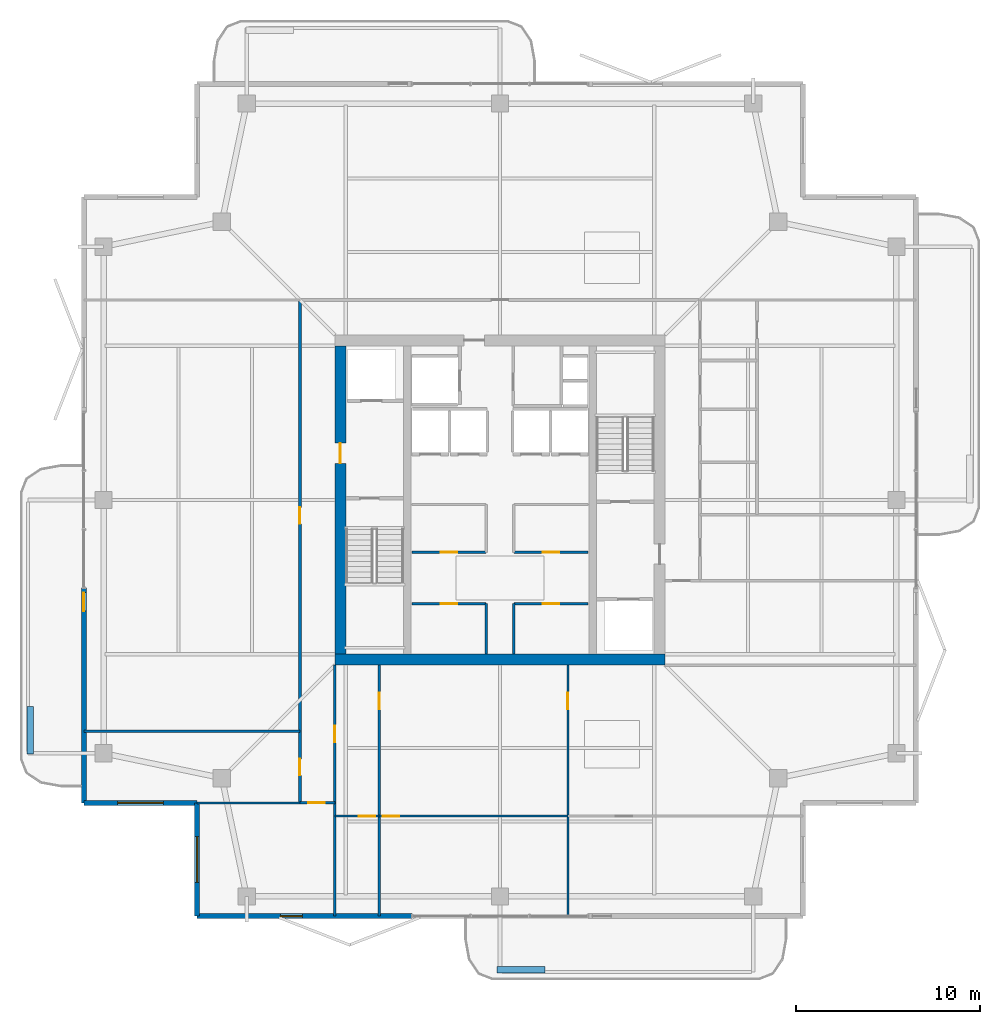
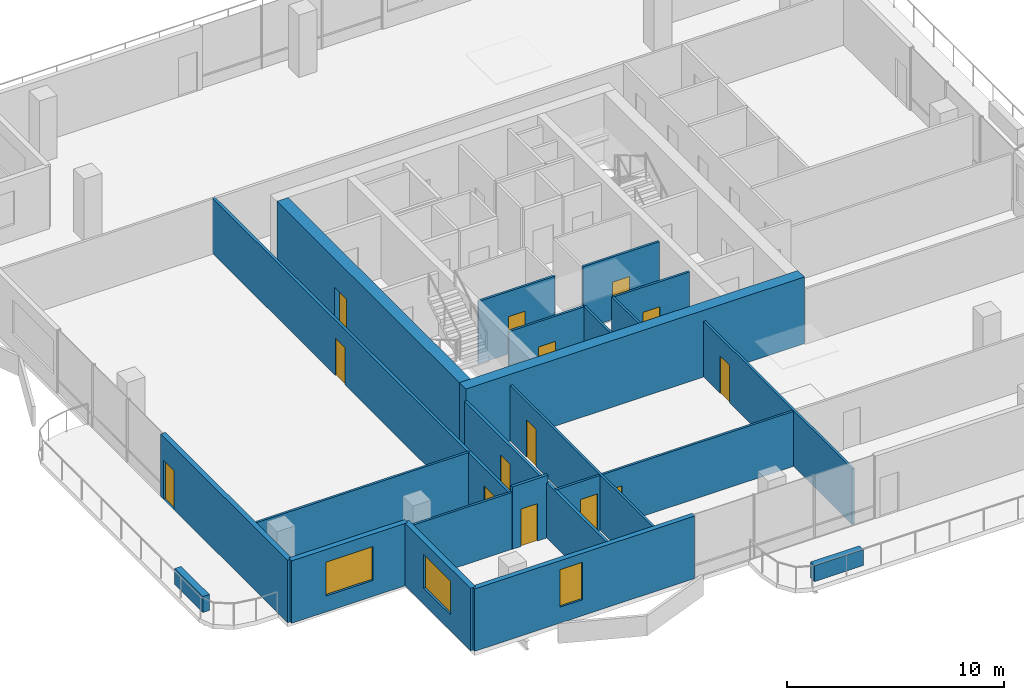
# One storey, part 12 of 18: 23 walls, 14 doors, 3 windows, 17 openings.
"""IFC4 building model written with IfcOpenShell, lengths in metres."""

from ifc_helpers import new_model, si_unit, direction, frame, frame_2d, origin, place, context, subcontext, project, spatial, rectangle, extrude, material, layer, layer_set, type_object, element, fill, save


model = new_model("IFC4")

# Units and contexts
model_context = context("Model", 3, precision=1e-05, world=origin(), true_north=direction((0.0, 1.0)))
body_context = subcontext(model_context, "Body", "Model", "MODEL_VIEW")
ifc_project = project(units=[si_unit("LENGTHUNIT", "METRE"), si_unit("AREAUNIT", "SQUARE_METRE"), si_unit("VOLUMEUNIT", "CUBIC_METRE"), si_unit("PLANEANGLEUNIT", "RADIAN"), si_unit("MASSUNIT", "GRAM", prefix="KILO")], contexts=[model_context])

# Site, building, storey
site_placement = place(None, origin())
site = spatial("IfcSite", under=ifc_project, at=site_placement, CompositionType="ELEMENT")
building_placement = place(site_placement, origin())
building = spatial("IfcBuilding", under=site, at=building_placement, Name="Belovzor Exchange Tower", CompositionType="ELEMENT")
storey_placement = place(building_placement, frame((0.0, 0.0, 310.5)))
storey = spatial("IfcBuildingStorey", under=building, at=storey_placement, Name="L77", CompositionType="ELEMENT", Elevation=310.5)

# Walls
ifc_material_1 = material(Name="Acoustic Plasterboard on Galvanised Studs", Category="gypsum")
ifc_layer_1 = layer(ifc_material_1, 0.1201171875)
ifc_layer_set_1 = layer_set([ifc_layer_1], Name="Acoustic Plasterboard on Galvanised Studs")
wall_type_1 = type_object("IfcWallType", Name="Acoustic Double-Stud Partition Wall 120", PredefinedType="PARTITIONING", material=ifc_layer_set_1)
wall_1_placement = place(storey_placement, frame((6.1298828125, 16.196044921875, 0.0), z_axis=(0.0, 0.0, 1.0), x_axis=(1.0, 0.0, 0.0)))
element("IfcWall", 1, at=wall_1_placement, inside=storey, type_object=wall_type_1, Name="W-P120 Partition Wall W-L77-WDIV-1", PredefinedType="PARTITIONING", context=body_context, shape_type="SweptSolid", body=[
    extrude(rectangle(XDim=11.77001953125, YDim=0.1201171875, at=frame_2d((5.885009765625, 0.0))), origin(), (0.0, 0.0, 1.0), 3.094970703125),
])
wall_2_placement = place(storey_placement, frame((12.300048828125, 12.300048828125, 0.0), z_axis=(0.0, 0.0, 1.0), x_axis=(1.0, 0.0, 0.0)))
element("IfcWall", 2, at=wall_2_placement, inside=storey, type_object=wall_type_1, Name="W-P120 Partition Wall W-L77-SWS", PredefinedType="PARTITIONING", context=body_context, shape_type="SweptSolid", body=[
    extrude(rectangle(XDim=5.599853515625, YDim=0.1201171875, at=frame_2d((2.7998046875, 0.0))), origin(), (0.0, 0.0, 1.0), 3.195068359375),
])

# Wall, opening, door
wall_3_placement = place(storey_placement, frame((19.800048828125, 11.5791015625, 0.0), z_axis=(0.0, 0.0, 1.0), x_axis=(1.0, 0.0, 0.0)))
wall_3 = element("IfcWall", 3, at=wall_3_placement, inside=storey, type_object=wall_type_1, Name="W-P120 Partition Wall W-L77-SHDIV-0", PredefinedType="PARTITIONING", context=body_context, shape_type="SweptSolid", body=[
    extrude(rectangle(XDim=2.4169921875, YDim=0.1201171875, at=frame_2d((1.20849609375, 0.0))), origin(), (0.0, 0.0, 1.0), 3.094970703125),
])
opening_1_placement = place(wall_3_placement, frame((1.31689453125, 0.0, 0.0)))
opening_1 = element("IfcOpeningElement", 4, at=opening_1_placement, cuts=wall_3, Name="Opening D-INT-090", PredefinedType="OPENING", context=body_context, shape_type="SweptSolid", body=[
    extrude(rectangle(XDim=0.89990234375, YDim=2.10009765625, at=frame_2d((0.449951171875, 1.050048828125))), frame((0.0, 0.070068359375, 0.0), z_axis=(0.0, -1.0, 0.0), x_axis=(1.0, 0.0, 0.0)), (0.0, 0.0, 1.0), 0.14013671875),
])
ifc_material_2 = material(Name="Veneered Hardwood Acoustic Leaf", Category="wood")
door_type_1 = type_object("IfcDoorType", Name="Trading Suite Acoustic Single Door 900x2100", OperationType="NOTDEFINED", PredefinedType="DOOR", material=ifc_material_2)
door_1_placement = place(opening_1_placement, origin())
door_1 = element("IfcDoor", 5, at=door_1_placement, inside=storey, type_object=door_type_1, Name="D-INT-090 Trading Suite Acoustic Single Door 900x2100", OperationType="SINGLE_SWING_LEFT", OverallHeight=2.10009765625, OverallWidth=0.89990234375, PredefinedType="DOOR", context=body_context, shape_type="SweptSolid", body=[
    extrude(rectangle(XDim=0.89990234375, YDim=2.10009765625, at=frame_2d((0.449951171875, 1.050048828125))), frame((0.0, 0.02490234375, 0.0), z_axis=(0.0, -1.0, 0.0), x_axis=(1.0, 0.0, 0.0)), (0.0, 0.0, 1.0), 0.050048828125),
])
fill(opening_1, door_1)

wall_4_placement = place(storey_placement, frame((22.217041015625, 6.1298828125, 0.0), z_axis=(0.0, 0.0, 1.0), x_axis=(0.0, 1.0, 0.0)))
wall_4 = element("IfcWall", 6, at=wall_4_placement, inside=storey, type_object=wall_type_1, Name="W-P120 Partition Wall W-L77-SDIV-1", PredefinedType="PARTITIONING", context=body_context, shape_type="SweptSolid", body=[
    extrude(rectangle(XDim=13.670166015625, YDim=0.1201171875, at=frame_2d((6.8349609375, 0.0))), origin(), (0.0, 0.0, 1.0), 3.135009765625),
])
opening_2_placement = place(wall_4_placement, frame((11.27001953125, 0.0, 0.0)))
opening_2 = element("IfcOpeningElement", 7, at=opening_2_placement, cuts=wall_4, Name="Opening D-INT-090", PredefinedType="OPENING", context=body_context, shape_type="SweptSolid", body=[
    extrude(rectangle(XDim=0.89990234375, YDim=2.10009765625, at=frame_2d((0.449951171875, 1.050048828125))), frame((0.0, 0.070068359375, 0.0), z_axis=(0.0, -1.0, 0.0), x_axis=(1.0, 0.0, 0.0)), (0.0, 0.0, 1.0), 0.14013671875),
])
door_2_placement = place(opening_2_placement, origin())
door_2 = element("IfcDoor", 8, at=door_2_placement, inside=storey, type_object=door_type_1, Name="D-INT-090 Trading Suite Acoustic Single Door 900x2100", OperationType="SINGLE_SWING_LEFT", OverallHeight=2.10009765625, OverallWidth=0.89990234375, PredefinedType="DOOR", context=body_context, shape_type="SweptSolid", body=[
    extrude(rectangle(XDim=0.89990234375, YDim=2.10009765625, at=frame_2d((0.449951171875, 1.050048828125))), frame((0.0, 0.02490234375, 0.0), z_axis=(0.0, -1.0, 0.0), x_axis=(1.0, 0.0, 0.0)), (0.0, 0.0, 1.0), 0.050048828125),
])
fill(opening_2, door_2)

wall_5_placement = place(storey_placement, frame((22.217041015625, 11.5791015625, 0.0), z_axis=(0.0, 0.0, 1.0), x_axis=(1.0, 0.0, 0.0)))
wall_5 = element("IfcWall", 9, at=wall_5_placement, inside=storey, type_object=wall_type_1, Name="W-P120 Partition Wall W-L77-SHDIV-1", PredefinedType="PARTITIONING", context=body_context, shape_type="SweptSolid", body=[
    extrude(rectangle(XDim=10.281005859375, YDim=0.1201171875, at=frame_2d((5.140625, 0.0))), origin(), (0.0, 0.0, 1.0), 3.094970703125),
])
opening_3_placement = place(wall_5_placement, frame((0.199951171875, 0.0, 0.0)))
opening_3 = element("IfcOpeningElement", 10, at=opening_3_placement, cuts=wall_5, Name="Opening D-INT-090", PredefinedType="OPENING", context=body_context, shape_type="SweptSolid", body=[
    extrude(rectangle(XDim=0.89990234375, YDim=2.10009765625, at=frame_2d((0.449951171875, 1.050048828125))), frame((0.0, 0.070068359375, 0.0), z_axis=(0.0, -1.0, 0.0), x_axis=(1.0, 0.0, 0.0)), (0.0, 0.0, 1.0), 0.14013671875),
])
door_3_placement = place(opening_3_placement, origin())
door_3 = element("IfcDoor", 11, at=door_3_placement, inside=storey, type_object=door_type_1, Name="D-INT-090 Trading Suite Acoustic Single Door 900x2100", OperationType="SINGLE_SWING_LEFT", OverallHeight=2.10009765625, OverallWidth=0.89990234375, PredefinedType="DOOR", context=body_context, shape_type="SweptSolid", body=[
    extrude(rectangle(XDim=0.89990234375, YDim=2.10009765625, at=frame_2d((0.449951171875, 1.050048828125))), frame((0.0, 0.02490234375, 0.0), z_axis=(0.0, -1.0, 0.0), x_axis=(1.0, 0.0, 0.0)), (0.0, 0.0, 1.0), 0.050048828125),
])
fill(opening_3, door_3)

wall_6_placement = place(storey_placement, frame((32.498046875, 6.1298828125, 0.0), z_axis=(0.0, 0.0, 1.0), x_axis=(0.0, 1.0, 0.0)))
wall_6 = element("IfcWall", 12, at=wall_6_placement, inside=storey, type_object=wall_type_1, Name="W-P120 Partition Wall W-L77-SDIV-2", PredefinedType="PARTITIONING", context=body_context, shape_type="SweptSolid", body=[
    extrude(rectangle(XDim=13.670166015625, YDim=0.1201171875, at=frame_2d((6.8349609375, 0.0))), origin(), (0.0, 0.0, 1.0), 3.135009765625),
])
opening_4_placement = place(wall_6_placement, frame((11.27001953125, 0.0, 0.0)))
opening_4 = element("IfcOpeningElement", 13, at=opening_4_placement, cuts=wall_6, Name="Opening D-INT-090", PredefinedType="OPENING", context=body_context, shape_type="SweptSolid", body=[
    extrude(rectangle(XDim=0.89990234375, YDim=2.10009765625, at=frame_2d((0.449951171875, 1.050048828125))), frame((0.0, 0.070068359375, 0.0), z_axis=(0.0, -1.0, 0.0), x_axis=(1.0, 0.0, 0.0)), (0.0, 0.0, 1.0), 0.14013671875),
])
door_4_placement = place(opening_4_placement, origin())
door_4 = element("IfcDoor", 14, at=door_4_placement, inside=storey, type_object=door_type_1, Name="D-INT-090 Trading Suite Acoustic Single Door 900x2100", OperationType="SINGLE_SWING_LEFT", OverallHeight=2.10009765625, OverallWidth=0.89990234375, PredefinedType="DOOR", context=body_context, shape_type="SweptSolid", body=[
    extrude(rectangle(XDim=0.89990234375, YDim=2.10009765625, at=frame_2d((0.449951171875, 1.050048828125))), frame((0.0, 0.02490234375, 0.0), z_axis=(0.0, -1.0, 0.0), x_axis=(1.0, 0.0, 0.0)), (0.0, 0.0, 1.0), 0.050048828125),
])
fill(opening_4, door_4)

ifc_material_3 = material(Name="Fire-Rated Plasterboard on Galvanised Studs", Category="gypsum")
ifc_layer_2 = layer(ifc_material_3, 0.1201171875)
ifc_layer_set_2 = layer_set([ifc_layer_2], Name="Fire-Rated Plasterboard on Galvanised Studs")
wall_type_2 = type_object("IfcWallType", Name="Fire-Rated Double-Stud Partition Wall 120", PredefinedType="PARTITIONING", material=ifc_layer_set_2)
wall_7_placement = place(storey_placement, frame((24.0, 23.14990234375, 0.0), z_axis=(0.0, 0.0, 1.0), x_axis=(1.0, 0.0, 0.0)))
wall_7 = element("IfcWall", 15, at=wall_7_placement, inside=storey, type_object=wall_type_2, Name="W-P120F Partition Wall W-CRL-L77-WN", PredefinedType="PARTITIONING", context=body_context, shape_type="SweptSolid", body=[
    extrude(rectangle(XDim=4.050048828125, YDim=0.1201171875, at=frame_2d((2.02490234375, 0.0))), origin(), (0.0, 0.0, 1.0), 3.510009765625),
])
opening_5_placement = place(wall_7_placement, frame((1.574951171875, 0.0, 0.0)))
opening_5 = element("IfcOpeningElement", 16, at=opening_5_placement, cuts=wall_7, Name="Opening D-FD60-090", PredefinedType="OPENING", context=body_context, shape_type="SweptSolid", body=[
    extrude(rectangle(XDim=0.89990234375, YDim=2.10009765625, at=frame_2d((0.449951171875, 1.050048828125))), frame((0.0, 0.070068359375, 0.0), z_axis=(0.0, -1.0, 0.0), x_axis=(1.0, 0.0, 0.0)), (0.0, 0.0, 1.0), 0.14013671875),
])
ifc_material_4 = material(Name="Acoustic Timber Fire Leaf", Category="wood")
door_type_2 = type_object("IfcDoorType", Name="Core Service & Restroom Fire Door 900x2100", OperationType="NOTDEFINED", PredefinedType="DOOR", material=ifc_material_4)
door_5_placement = place(opening_5_placement, origin())
door_5 = element("IfcDoor", 17, at=door_5_placement, inside=storey, type_object=door_type_2, Name="D-FD60-090 Core Service & Restroom Fire Door 900x2100", OperationType="SINGLE_SWING_LEFT", OverallHeight=2.10009765625, OverallWidth=0.89990234375, PredefinedType="DOOR", context=body_context, shape_type="SweptSolid", body=[
    extrude(rectangle(XDim=0.89990234375, YDim=2.10009765625, at=frame_2d((0.449951171875, 1.050048828125))), frame((0.0, 0.02490234375, 0.0), z_axis=(0.0, -1.0, 0.0), x_axis=(1.0, 0.0, 0.0)), (0.0, 0.0, 1.0), 0.050048828125),
])
fill(opening_5, door_5)

# Wall
wall_8_placement = place(storey_placement, frame((28.050048828125, 20.39990234375, 0.0), z_axis=(0.0, 0.0, 1.0), x_axis=(0.0, 1.0, 0.0)))
element("IfcWall", 18, at=wall_8_placement, inside=storey, type_object=wall_type_2, Name="W-P120F Partition Wall W-CRL-L77-WE", PredefinedType="PARTITIONING", context=body_context, shape_type="SweptSolid", body=[
    extrude(rectangle(XDim=2.75, YDim=0.1201171875, at=frame_2d((1.375, 0.0))), origin(), (0.0, 0.0, 1.0), 3.510009765625),
])

# Wall, opening, door
wall_9_placement = place(storey_placement, frame((29.550048828125, 23.14990234375, 0.0), z_axis=(0.0, 0.0, 1.0), x_axis=(1.0, 0.0, 0.0)))
wall_9 = element("IfcWall", 19, at=wall_9_placement, inside=storey, type_object=wall_type_2, Name="W-P120F Partition Wall W-CRL-L77-EN", PredefinedType="PARTITIONING", context=body_context, shape_type="SweptSolid", body=[
    extrude(rectangle(XDim=4.050048828125, YDim=0.1201171875, at=frame_2d((2.02490234375, 0.0))), origin(), (0.0, 0.0, 1.0), 3.510009765625),
])
opening_6_placement = place(wall_9_placement, frame((1.574951171875, 0.0, 0.0)))
opening_6 = element("IfcOpeningElement", 20, at=opening_6_placement, cuts=wall_9, Name="Opening D-FD60-090", PredefinedType="OPENING", context=body_context, shape_type="SweptSolid", body=[
    extrude(rectangle(XDim=0.89990234375, YDim=2.10009765625, at=frame_2d((0.449951171875, 1.050048828125))), frame((0.0, 0.070068359375, 0.0), z_axis=(0.0, -1.0, 0.0), x_axis=(1.0, 0.0, 0.0)), (0.0, 0.0, 1.0), 0.14013671875),
])
door_6_placement = place(opening_6_placement, origin())
door_6 = element("IfcDoor", 21, at=door_6_placement, inside=storey, type_object=door_type_2, Name="D-FD60-090 Core Service & Restroom Fire Door 900x2100", OperationType="SINGLE_SWING_RIGHT", OverallHeight=2.10009765625, OverallWidth=0.89990234375, PredefinedType="DOOR", context=body_context, shape_type="SweptSolid", body=[
    extrude(rectangle(XDim=0.89990234375, YDim=2.10009765625, at=frame_2d((0.449951171875, 1.050048828125))), frame((0.0, 0.02490234375, 0.0), z_axis=(0.0, -1.0, 0.0), x_axis=(1.0, 0.0, 0.0)), (0.0, 0.0, 1.0), 0.050048828125),
])
fill(opening_6, door_6)

# Wall
wall_10_placement = place(storey_placement, frame((29.550048828125, 20.39990234375, 0.0), z_axis=(0.0, 0.0, 1.0), x_axis=(0.0, 1.0, 0.0)))
element("IfcWall", 22, at=wall_10_placement, inside=storey, type_object=wall_type_2, Name="W-P120F Partition Wall W-CRL-L77-EW", PredefinedType="PARTITIONING", context=body_context, shape_type="SweptSolid", body=[
    extrude(rectangle(XDim=2.75, YDim=0.1201171875, at=frame_2d((1.375, 0.0))), origin(), (0.0, 0.0, 1.0), 3.510009765625),
])

# Wall, opening, door
wall_11_placement = place(storey_placement, frame((24.0, 25.949951171875, 0.0), z_axis=(0.0, 0.0, 1.0), x_axis=(1.0, 0.0, 0.0)))
wall_11 = element("IfcWall", 23, at=wall_11_placement, inside=storey, type_object=wall_type_2, Name="W-P120F Partition Wall W-CRM-L77-WS", PredefinedType="PARTITIONING", context=body_context, shape_type="SweptSolid", body=[
    extrude(rectangle(XDim=4.050048828125, YDim=0.1201171875, at=frame_2d((2.02490234375, 0.0))), origin(), (0.0, 0.0, 1.0), 3.510009765625),
])
opening_7_placement = place(wall_11_placement, frame((1.574951171875, 0.0, 0.0)))
opening_7 = element("IfcOpeningElement", 24, at=opening_7_placement, cuts=wall_11, Name="Opening D-FD60-090", PredefinedType="OPENING", context=body_context, shape_type="SweptSolid", body=[
    extrude(rectangle(XDim=0.89990234375, YDim=2.10009765625, at=frame_2d((0.449951171875, 1.050048828125))), frame((0.0, 0.070068359375, 0.0), z_axis=(0.0, -1.0, 0.0), x_axis=(1.0, 0.0, 0.0)), (0.0, 0.0, 1.0), 0.14013671875),
])
door_7_placement = place(opening_7_placement, origin())
door_7 = element("IfcDoor", 25, at=door_7_placement, inside=storey, type_object=door_type_2, Name="D-FD60-090 Core Service & Restroom Fire Door 900x2100", OperationType="SINGLE_SWING_LEFT", OverallHeight=2.10009765625, OverallWidth=0.89990234375, PredefinedType="DOOR", context=body_context, shape_type="SweptSolid", body=[
    extrude(rectangle(XDim=0.89990234375, YDim=2.10009765625, at=frame_2d((0.449951171875, 1.050048828125))), frame((0.0, 0.02490234375, 0.0), z_axis=(0.0, -1.0, 0.0), x_axis=(1.0, 0.0, 0.0)), (0.0, 0.0, 1.0), 0.050048828125),
])
fill(opening_7, door_7)

wall_12_placement = place(storey_placement, frame((29.550048828125, 25.949951171875, 0.0), z_axis=(0.0, 0.0, 1.0), x_axis=(1.0, 0.0, 0.0)))
wall_12 = element("IfcWall", 26, at=wall_12_placement, inside=storey, type_object=wall_type_2, Name="W-P120F Partition Wall W-CRM-L77-ES", PredefinedType="PARTITIONING", context=body_context, shape_type="SweptSolid", body=[
    extrude(rectangle(XDim=4.050048828125, YDim=0.1201171875, at=frame_2d((2.02490234375, 0.0))), origin(), (0.0, 0.0, 1.0), 3.510009765625),
])
opening_8_placement = place(wall_12_placement, frame((1.574951171875, 0.0, 0.0)))
opening_8 = element("IfcOpeningElement", 27, at=opening_8_placement, cuts=wall_12, Name="Opening D-FD60-090", PredefinedType="OPENING", context=body_context, shape_type="SweptSolid", body=[
    extrude(rectangle(XDim=0.89990234375, YDim=2.10009765625, at=frame_2d((0.449951171875, 1.050048828125))), frame((0.0, 0.070068359375, 0.0), z_axis=(0.0, -1.0, 0.0), x_axis=(1.0, 0.0, 0.0)), (0.0, 0.0, 1.0), 0.14013671875),
])
door_8_placement = place(opening_8_placement, origin())
door_8 = element("IfcDoor", 28, at=door_8_placement, inside=storey, type_object=door_type_2, Name="D-FD60-090 Core Service & Restroom Fire Door 900x2100", OperationType="SINGLE_SWING_RIGHT", OverallHeight=2.10009765625, OverallWidth=0.89990234375, PredefinedType="DOOR", context=body_context, shape_type="SweptSolid", body=[
    extrude(rectangle(XDim=0.89990234375, YDim=2.10009765625, at=frame_2d((0.449951171875, 1.050048828125))), frame((0.0, 0.02490234375, 0.0), z_axis=(0.0, -1.0, 0.0), x_axis=(1.0, 0.0, 0.0)), (0.0, 0.0, 1.0), 0.050048828125),
])
fill(opening_8, door_8)

ifc_material_5 = material(Name="Fire-Rated Gypsum Block and Mineral Wool", Category="gypsum")
ifc_layer_3 = layer(ifc_material_5, 0.14990234375)
ifc_layer_set_3 = layer_set([ifc_layer_3], Name="Fire-Rated Gypsum Block and Mineral Wool")
wall_type_3 = type_object("IfcWallType", Name="Fire-Rated Gypsum Block Corridor Wall 150", PredefinedType="PARTITIONING", material=ifc_layer_set_3)
wall_13_placement = place(storey_placement, frame((17.89990234375, 12.300048828125, 0.0), z_axis=(0.0, 0.0, 1.0), x_axis=(1.0, 0.0, 0.0)))
wall_13 = element("IfcWall", 29, at=wall_13_placement, inside=storey, type_object=wall_type_3, Name="W-P150 Partition Wall W-L77-CW-END", PredefinedType="PARTITIONING", context=body_context, shape_type="SweptSolid", body=[
    extrude(rectangle(XDim=1.900146484375, YDim=0.14990234375, at=frame_2d((0.9501953125, 0.0))), origin(), (0.0, 0.0, 1.0), 3.510009765625),
])
opening_9_placement = place(wall_13_placement, frame((0.449951171875, 0.0, 0.0)))
opening_9 = element("IfcOpeningElement", 30, at=opening_9_placement, cuts=wall_13, Name="Opening D-FD60-090", PredefinedType="OPENING", context=body_context, shape_type="SweptSolid", body=[
    extrude(rectangle(XDim=0.89990234375, YDim=2.10009765625, at=frame_2d((0.449951171875, 1.050048828125))), frame((0.0, 0.0849609375, 0.0), z_axis=(0.0, -1.0, 0.0), x_axis=(1.0, 0.0, 0.0)), (0.0, 0.0, 1.0), 0.169921875),
])
door_9_placement = place(opening_9_placement, origin())
door_9 = element("IfcDoor", 31, at=door_9_placement, inside=storey, type_object=door_type_2, Name="D-FD60-090 Core Service & Restroom Fire Door 900x2100", OperationType="SINGLE_SWING_LEFT", OverallHeight=2.10009765625, OverallWidth=0.89990234375, PredefinedType="DOOR", context=body_context, shape_type="SweptSolid", body=[
    extrude(rectangle(XDim=0.89990234375, YDim=2.10009765625, at=frame_2d((0.449951171875, 1.050048828125))), frame((0.0, 0.02490234375, 0.0), z_axis=(0.0, -1.0, 0.0), x_axis=(1.0, 0.0, 0.0)), (0.0, 0.0, 1.0), 0.050048828125),
])
fill(opening_9, door_9)

wall_14_placement = place(storey_placement, frame((19.800048828125, 6.1298828125, 0.0), z_axis=(0.0, 0.0, 1.0), x_axis=(0.0, 1.0, 0.0)))
wall_14 = element("IfcWall", 32, at=wall_14_placement, inside=storey, type_object=wall_type_3, Name="W-P150 Partition Wall W-L77-CW-E", PredefinedType="PARTITIONING", context=body_context, shape_type="SweptSolid", body=[
    extrude(rectangle(XDim=13.670166015625, YDim=0.14990234375, at=frame_2d((6.8349609375, 0.0))), origin(), (0.0, 0.0, 1.0), 3.094970703125),
])
opening_10_placement = place(wall_14_placement, frame((9.469970703125, 0.0, 0.0)))
opening_10 = element("IfcOpeningElement", 33, at=opening_10_placement, cuts=wall_14, Name="Opening D-FD60-090", PredefinedType="OPENING", context=body_context, shape_type="SweptSolid", body=[
    extrude(rectangle(XDim=0.89990234375, YDim=2.10009765625, at=frame_2d((0.449951171875, 1.050048828125))), frame((0.0, 0.0849609375, 0.0), z_axis=(0.0, -1.0, 0.0), x_axis=(1.0, 0.0, 0.0)), (0.0, 0.0, 1.0), 0.169921875),
])
door_10_placement = place(opening_10_placement, origin())
door_10 = element("IfcDoor", 34, at=door_10_placement, inside=storey, type_object=door_type_2, Name="D-FD60-090 Core Service & Restroom Fire Door 900x2100", OperationType="SINGLE_SWING_RIGHT", OverallHeight=2.10009765625, OverallWidth=0.89990234375, PredefinedType="DOOR", context=body_context, shape_type="SweptSolid", body=[
    extrude(rectangle(XDim=0.89990234375, YDim=2.10009765625, at=frame_2d((0.449951171875, 1.050048828125))), frame((0.0, 0.02490234375, 0.0), z_axis=(0.0, -1.0, 0.0), x_axis=(1.0, 0.0, 0.0)), (0.0, 0.0, 1.0), 0.050048828125),
])
fill(opening_10, door_10)

# Wall, openings, doors
wall_15_placement = place(storey_placement, frame((17.89990234375, 12.300048828125, 0.0), z_axis=(0.0, 0.0, 1.0), x_axis=(0.0, 1.0, 0.0)))
wall_15 = element("IfcWall", 35, at=wall_15_placement, inside=storey, type_object=wall_type_3, Name="W-P150 Partition Wall W-L77-CW", PredefinedType="PARTITIONING", context=body_context, shape_type="SweptSolid", body=[
    extrude(rectangle(XDim=27.39990234375, YDim=0.14990234375, at=frame_2d((13.699951171875, 0.0))), origin(), (0.0, 0.0, 1.0), 3.094970703125),
])
opening_11_placement = place(wall_15_placement, frame((1.498046875, 0.0, 0.0)))
opening_11 = element("IfcOpeningElement", 36, at=opening_11_placement, cuts=wall_15, Name="Opening D-INT-090", PredefinedType="OPENING", context=body_context, shape_type="SweptSolid", body=[
    extrude(rectangle(XDim=0.89990234375, YDim=2.10009765625, at=frame_2d((0.449951171875, 1.050048828125))), frame((0.0, 0.0849609375, 0.0), z_axis=(0.0, -1.0, 0.0), x_axis=(1.0, 0.0, 0.0)), (0.0, 0.0, 1.0), 0.169921875),
])
opening_12_placement = place(wall_15_placement, frame((15.197998046875, 0.0, 0.0)))
opening_12 = element("IfcOpeningElement", 37, at=opening_12_placement, cuts=wall_15, Name="Opening D-INT-090", PredefinedType="OPENING", context=body_context, shape_type="SweptSolid", body=[
    extrude(rectangle(XDim=0.89990234375, YDim=2.10009765625, at=frame_2d((0.449951171875, 1.050048828125))), frame((0.0, 0.0849609375, 0.0), z_axis=(0.0, -1.0, 0.0), x_axis=(1.0, 0.0, 0.0)), (0.0, 0.0, 1.0), 0.169921875),
])
door_11_placement = place(opening_11_placement, origin())
door_11 = element("IfcDoor", 38, at=door_11_placement, inside=storey, type_object=door_type_1, Name="D-INT-090 Trading Suite Acoustic Single Door 900x2100", OperationType="SINGLE_SWING_RIGHT", OverallHeight=2.10009765625, OverallWidth=0.89990234375, PredefinedType="DOOR", context=body_context, shape_type="SweptSolid", body=[
    extrude(rectangle(XDim=0.89990234375, YDim=2.10009765625, at=frame_2d((0.449951171875, 1.050048828125))), frame((0.0, 0.02490234375, 0.0), z_axis=(0.0, -1.0, 0.0), x_axis=(1.0, 0.0, 0.0)), (0.0, 0.0, 1.0), 0.050048828125),
])
fill(opening_11, door_11)
door_12_placement = place(opening_12_placement, origin())
door_12 = element("IfcDoor", 39, at=door_12_placement, inside=storey, type_object=door_type_1, Name="D-INT-090 Trading Suite Acoustic Single Door 900x2100", OperationType="SINGLE_SWING_LEFT", OverallHeight=2.10009765625, OverallWidth=0.89990234375, PredefinedType="DOOR", context=body_context, shape_type="SweptSolid", body=[
    extrude(rectangle(XDim=0.89990234375, YDim=2.10009765625, at=frame_2d((0.449951171875, 1.050048828125))), frame((0.0, 0.02490234375, 0.0), z_axis=(0.0, -1.0, 0.0), x_axis=(1.0, 0.0, 0.0)), (0.0, 0.0, 1.0), 0.050048828125),
])
fill(opening_12, door_12)

# Wall, opening, window
ifc_material_6 = material(Name="Precast concrete C40/50", Category="concrete")
ifc_layer_4 = layer(ifc_material_6, 0.280029296875)
ifc_layer_set_4 = layer_set([ifc_layer_4], Name="Precast concrete C40/50")
wall_type_4 = type_object("IfcWallType", Name="Precast Concrete Notched Corner Frame Wall 280", PredefinedType="SOLIDWALL", material=ifc_layer_set_4)
wall_16_placement = place(storey_placement, frame((12.300048828125, 6.1298828125, 0.0), z_axis=(0.0, 0.0, 1.0), x_axis=(0.0, 1.0, 0.0)))
wall_16 = element("IfcWall", 40, at=wall_16_placement, inside=storey, type_object=wall_type_4, Name="W-CRN280 Precast Concrete Notched Corner Frame Wall 280 L77", PredefinedType="SOLIDWALL", context=body_context, shape_type="SweptSolid", body=[
    extrude(rectangle(XDim=6.170166015625, YDim=0.280029296875, at=frame_2d((3.0849609375, 0.0))), origin(), (0.0, 0.0, 1.0), 3.510009765625),
])
opening_13_placement = place(wall_16_placement, frame((1.8349609375, 0.0, 0.89990234375)))
opening_13 = element("IfcOpeningElement", 41, at=opening_13_placement, cuts=wall_16, Name="Opening WN-CRN250", PredefinedType="OPENING", context=body_context, shape_type="SweptSolid", body=[
    extrude(rectangle(XDim=2.5, YDim=1.89990234375, at=frame_2d((1.25, 0.949951171875))), frame((0.0, 0.14990234375, 0.0), z_axis=(0.0, -1.0, 0.0), x_axis=(1.0, 0.0, 0.0)), (0.0, 0.0, 1.0), 0.300048828125),
])
ifc_material_7 = material(Name="Thermally Broken Aluminium and Triple Glazing", Category="aluminium")
window_type_1 = type_object("IfcWindowType", Name="Streamline Moderne Corner Wrap Ribbon Window 2500x1900", PartitioningType="SINGLE_PANEL", PredefinedType="WINDOW", material=ifc_material_7)
window_1_placement = place(opening_13_placement, origin())
window_1 = element("IfcWindow", 42, at=window_1_placement, inside=storey, type_object=window_type_1, Name="WN-CRN250 Streamline Moderne Corner Wrap Ribbon Window 2500x1900", OverallHeight=1.89990234375, OverallWidth=2.5, PartitioningType="SINGLE_PANEL", PredefinedType="WINDOW", context=body_context, shape_type="SweptSolid", body=[
    extrude(rectangle(XDim=2.5, YDim=1.89990234375, at=frame_2d((1.25, 0.949951171875))), frame((0.0, 0.030029296875, 0.0), z_axis=(0.0, -1.0, 0.0), x_axis=(1.0, 0.0, 0.0)), (0.0, 0.0, 1.0), 0.06005859375),
])
fill(opening_13, window_1)

wall_17_placement = place(storey_placement, frame((12.300048828125, 12.300048828125, 0.0), z_axis=(0.0, 0.0, 1.0), x_axis=(-1.0, 0.0, 0.0)))
wall_17 = element("IfcWall", 43, at=wall_17_placement, inside=storey, type_object=wall_type_4, Name="W-CRN280 Precast Concrete Notched Corner Frame Wall 280 L77", PredefinedType="SOLIDWALL", context=body_context, shape_type="SweptSolid", body=[
    extrude(rectangle(XDim=6.170166015625, YDim=0.280029296875, at=frame_2d((3.0849609375, 0.0))), origin(), (0.0, 0.0, 1.0), 3.510009765625),
])
opening_14_placement = place(wall_17_placement, frame((1.8349609375, 0.0, 0.89990234375)))
opening_14 = element("IfcOpeningElement", 44, at=opening_14_placement, cuts=wall_17, Name="Opening WN-CRN250", PredefinedType="OPENING", context=body_context, shape_type="SweptSolid", body=[
    extrude(rectangle(XDim=2.5, YDim=1.89990234375, at=frame_2d((1.25, 0.949951171875))), frame((0.0, 0.14990234375, 0.0), z_axis=(0.0, -1.0, 0.0), x_axis=(1.0, 0.0, 0.0)), (0.0, 0.0, 1.0), 0.300048828125),
])
window_2_placement = place(opening_14_placement, origin())
window_2 = element("IfcWindow", 45, at=window_2_placement, inside=storey, type_object=window_type_1, Name="WN-CRN250 Streamline Moderne Corner Wrap Ribbon Window 2500x1900", OverallHeight=1.89990234375, OverallWidth=2.5, PartitioningType="SINGLE_PANEL", PredefinedType="WINDOW", context=body_context, shape_type="SweptSolid", body=[
    extrude(rectangle(XDim=2.5, YDim=1.89990234375, at=frame_2d((1.25, 0.949951171875))), frame((0.0, 0.030029296875, 0.0), z_axis=(0.0, -1.0, 0.0), x_axis=(1.0, 0.0, 0.0)), (0.0, 0.0, 1.0), 0.06005859375),
])
fill(opening_14, window_2)

ifc_material_8 = material(Name="Precast concrete C40/50", Category="concrete")
ifc_layer_5 = layer(ifc_material_8, 0.260009765625)
ifc_layer_set_5 = layer_set([ifc_layer_5], Name="Precast concrete C40/50")
wall_type_5 = type_object("IfcWallType", Name="Precast Concrete Perimeter Loggia Frame Wall 260", PredefinedType="SOLIDWALL", material=ifc_layer_set_5)
wall_18_placement = place(storey_placement, frame((24.0, 6.1298828125, 0.0), z_axis=(0.0, 0.0, 1.0), x_axis=(-1.0, 0.0, 0.0)))
wall_18 = element("IfcWall", 46, at=wall_18_placement, inside=storey, type_object=wall_type_5, Name="W-EXT260 Precast Concrete Perimeter Loggia Frame Wall 260 L77", PredefinedType="SOLIDWALL", context=body_context, shape_type="SweptSolid", body=[
    extrude(rectangle(XDim=11.699951171875, YDim=0.260009765625, at=frame_2d((5.85009765625, 0.0))), origin(), (0.0, 0.0, 1.0), 3.510009765625),
])
opening_15_placement = place(wall_18_placement, frame((5.964111328125, 0.0, 0.89990234375)))
opening_15 = element("IfcOpeningElement", 47, at=opening_15_placement, cuts=wall_18, Name="Opening WN-CRN120", PredefinedType="OPENING", context=body_context, shape_type="SweptSolid", body=[
    extrude(rectangle(XDim=1.199951171875, YDim=2.10009765625, at=frame_2d((0.60009765625, 1.050048828125))), frame((0.0, 0.139892578125, 0.0), z_axis=(0.0, -1.0, 0.0), x_axis=(1.0, 0.0, 0.0)), (0.0, 0.0, 1.0), 0.280029296875),
])
ifc_material_9 = material(Name="Thermally Broken Aluminium and Triple Glazing", Category="aluminium")
window_type_2 = type_object("IfcWindowType", Name="Streamline Notched Corner Window 1200x2100", PartitioningType="SINGLE_PANEL", PredefinedType="WINDOW", material=ifc_material_9)
window_3_placement = place(opening_15_placement, origin())
window_3 = element("IfcWindow", 48, at=window_3_placement, inside=storey, type_object=window_type_2, Name="WN-CRN120 Streamline Notched Corner Window 1200x2100", OverallHeight=2.10009765625, OverallWidth=1.199951171875, PartitioningType="SINGLE_PANEL", PredefinedType="WINDOW", context=body_context, shape_type="SweptSolid", body=[
    extrude(rectangle(XDim=1.199951171875, YDim=2.10009765625, at=frame_2d((0.60009765625, 1.050048828125))), frame((0.0, 0.030029296875, 0.0), z_axis=(0.0, -1.0, 0.0), x_axis=(1.0, 0.0, 0.0)), (0.0, 0.0, 1.0), 0.06005859375),
])
fill(opening_15, window_3)

# Wall, opening, door
wall_19_placement = place(storey_placement, frame((6.1298828125, 12.300048828125, 0.0), z_axis=(0.0, 0.0, 1.0), x_axis=(0.0, 1.0, 0.0)))
wall_19 = element("IfcWall", 49, at=wall_19_placement, inside=storey, type_object=wall_type_5, Name="W-EXT260 Precast Concrete Perimeter Loggia Frame Wall 260 L77", PredefinedType="SOLIDWALL", context=body_context, shape_type="SweptSolid", body=[
    extrude(rectangle(XDim=11.699951171875, YDim=0.260009765625, at=frame_2d((5.85009765625, 0.0))), origin(), (0.0, 0.0, 1.0), 3.510009765625),
])
opening_16_placement = place(wall_19_placement, frame((10.449951171875, 0.0, 0.0)))
opening_16 = element("IfcOpeningElement", 50, at=opening_16_placement, cuts=wall_19, Name="Opening D-BAL100", PredefinedType="OPENING", context=body_context, shape_type="SweptSolid", body=[
    extrude(rectangle(XDim=1.0, YDim=2.199951171875, at=frame_2d((0.5, 1.10009765625))), frame((0.0, 0.139892578125, 0.0), z_axis=(0.0, -1.0, 0.0), x_axis=(1.0, 0.0, 0.0)), (0.0, 0.0, 1.0), 0.280029296875),
])
ifc_material_10 = material(Name="Thermally Broken Anodised Aluminium and Laminated Glass", Category="aluminium")
door_type_3 = type_object("IfcDoorType", Name="Planted Loggia Terrace Glazed Door 1000x2200", OperationType="SINGLE_SWING_LEFT", PredefinedType="DOOR", material=ifc_material_10)
door_13_placement = place(opening_16_placement, origin())
door_13 = element("IfcDoor", 51, at=door_13_placement, inside=storey, type_object=door_type_3, Name="D-BAL100 Balcony Terrace Door L77 W", OperationType="SINGLE_SWING_RIGHT", OverallHeight=2.199951171875, OverallWidth=1.0, PredefinedType="DOOR", context=body_context, shape_type="SweptSolid", body=[
    extrude(rectangle(XDim=1.0, YDim=2.199951171875, at=frame_2d((0.5, 1.10009765625))), frame((0.0, 0.02490234375, 0.0), z_axis=(0.0, -1.0, 0.0), x_axis=(1.0, 0.0, 0.0)), (0.0, 0.0, 1.0), 0.050048828125),
])
fill(opening_16, door_13)

# Walls
ifc_material_11 = material(Name="Precast concrete C40/50", Category="concrete")
ifc_layer_6 = layer(ifc_material_11, 0.35009765625)
ifc_layer_set_6 = layer_set([ifc_layer_6], Name="Precast concrete C40/50")
wall_type_6 = type_object("IfcWallType", Name="Precast Concrete Structural Tree Planter Trough 350", PredefinedType="PARAPET", material=ifc_layer_set_6)
for number, where, z_axis, x_axis, name in (
    (52, (28.64990234375, 3.199951171875, 0.0), (0.0, 0.0, 1.0), (1.0, 0.0, 0.0), "PT-350 Precast Concrete Structural Tree Planter Trough 350 L77"),
    (53, (3.199951171875, 14.949951171875, 0.0), (0.0, 0.0, 1.0), (0.0, 1.0, 0.0), "PT-350 Precast Concrete Structural Tree Planter Trough 350 L77"),
):
    element("IfcWall", number, at=place(storey_placement, frame(where, z_axis=z_axis, x_axis=x_axis)), inside=storey, type_object=wall_type_6, Name=name, PredefinedType="PARAPET", context=body_context, shape_type="SweptSolid", body=[
        extrude(rectangle(XDim=2.60009765625, YDim=0.35009765625, at=frame_2d((1.300048828125, 0.0))), origin(), (0.0, 0.0, 1.0), 0.89990234375),
    ])
ifc_material_12 = material(Name="Concrete C50/60", Category="concrete")
ifc_layer_7 = layer(ifc_material_12, 0.60009765625)
ifc_layer_set_7 = layer_set([ifc_layer_7], Name="Concrete C50/60")
wall_type_7 = type_object("IfcWallType", Name="Reinforced Concrete Core Shear Wall 600", PredefinedType="SHEAR", material=ifc_layer_set_7)
wall_20_placement = place(storey_placement, frame((19.800048828125, 20.10009765625, 0.0), z_axis=(0.0, 0.0, 1.0), x_axis=(1.0, 0.0, 0.0)))
element("IfcWall", 54, at=wall_20_placement, inside=storey, type_object=wall_type_7, Name="CW-S060 Core Shear Wall L77 S", PredefinedType="SHEAR", context=body_context, shape_type="SweptSolid", body=[
    extrude(rectangle(XDim=18.0, YDim=0.60009765625, at=frame_2d((9.0, 0.0))), origin(), (0.0, 0.0, 1.0), 3.75),
])

# Wall, opening, door
wall_21_placement = place(storey_placement, frame((20.10009765625, 20.39990234375, 0.0), z_axis=(0.0, 0.0, 1.0), x_axis=(0.0, 1.0, 0.0)))
wall_21 = element("IfcWall", 55, at=wall_21_placement, inside=storey, type_object=wall_type_7, Name="CW-S060 Core Shear Wall L77 W", PredefinedType="SHEAR", context=body_context, shape_type="SweptSolid", body=[
    extrude(rectangle(XDim=16.800048828125, YDim=0.60009765625, at=frame_2d((8.39990234375, 0.0))), origin(), (0.0, 0.0, 1.0), 3.75),
])
opening_17_placement = place(wall_21_placement, frame((10.39990234375, 0.0, 0.0)))
opening_17 = element("IfcOpeningElement", 56, at=opening_17_placement, cuts=wall_21, Name="Opening D-FD90-110", PredefinedType="OPENING", context=body_context, shape_type="SweptSolid", body=[
    extrude(rectangle(XDim=1.10009765625, YDim=2.14990234375, at=frame_2d((0.550048828125, 1.074951171875))), frame((0.0, 0.31005859375, 0.0), z_axis=(0.0, -1.0, 0.0), x_axis=(1.0, 0.0, 0.0)), (0.0, 0.0, 1.0), 0.6201171875),
])
ifc_material_13 = material(Name="Fire-Rated Galvanised Steel Leaf", Category="steel")
door_type_4 = type_object("IfcDoorType", Name="Protected Escape Vestibule Fire Door 1100x2150", OperationType="NOTDEFINED", PredefinedType="DOOR", material=ifc_material_13)
door_14_placement = place(opening_17_placement, origin())
door_14 = element("IfcDoor", 57, at=door_14_placement, inside=storey, type_object=door_type_4, Name="D-FD90-110 Protected Escape Vestibule Fire Door 1100x2150", OperationType="SINGLE_SWING_LEFT", OverallHeight=2.14990234375, OverallWidth=1.10009765625, PredefinedType="DOOR", context=body_context, shape_type="SweptSolid", body=[
    extrude(rectangle(XDim=1.10009765625, YDim=2.14990234375, at=frame_2d((0.550048828125, 1.074951171875))), frame((0.0, 0.02490234375, 0.0), z_axis=(0.0, -1.0, 0.0), x_axis=(1.0, 0.0, 0.0)), (0.0, 0.0, 1.0), 0.050048828125),
])
fill(opening_17, door_14)

save(model, "model.ifc")
